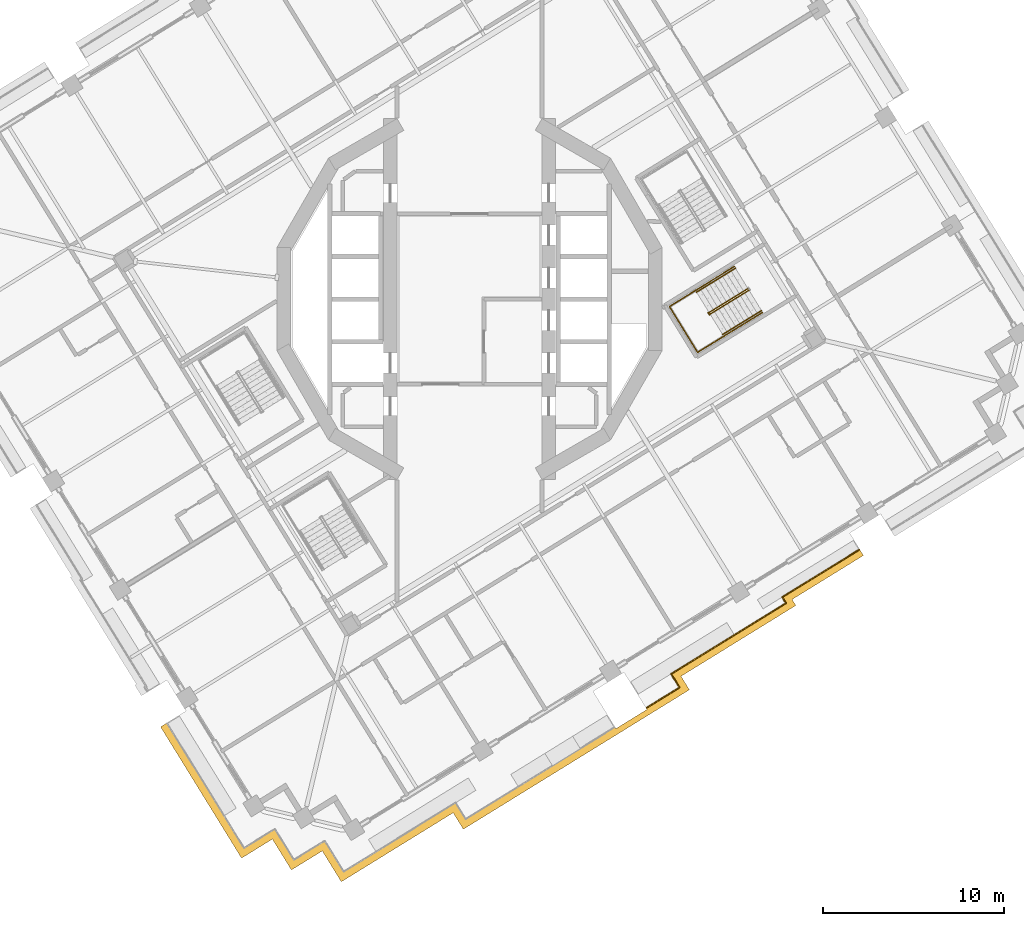
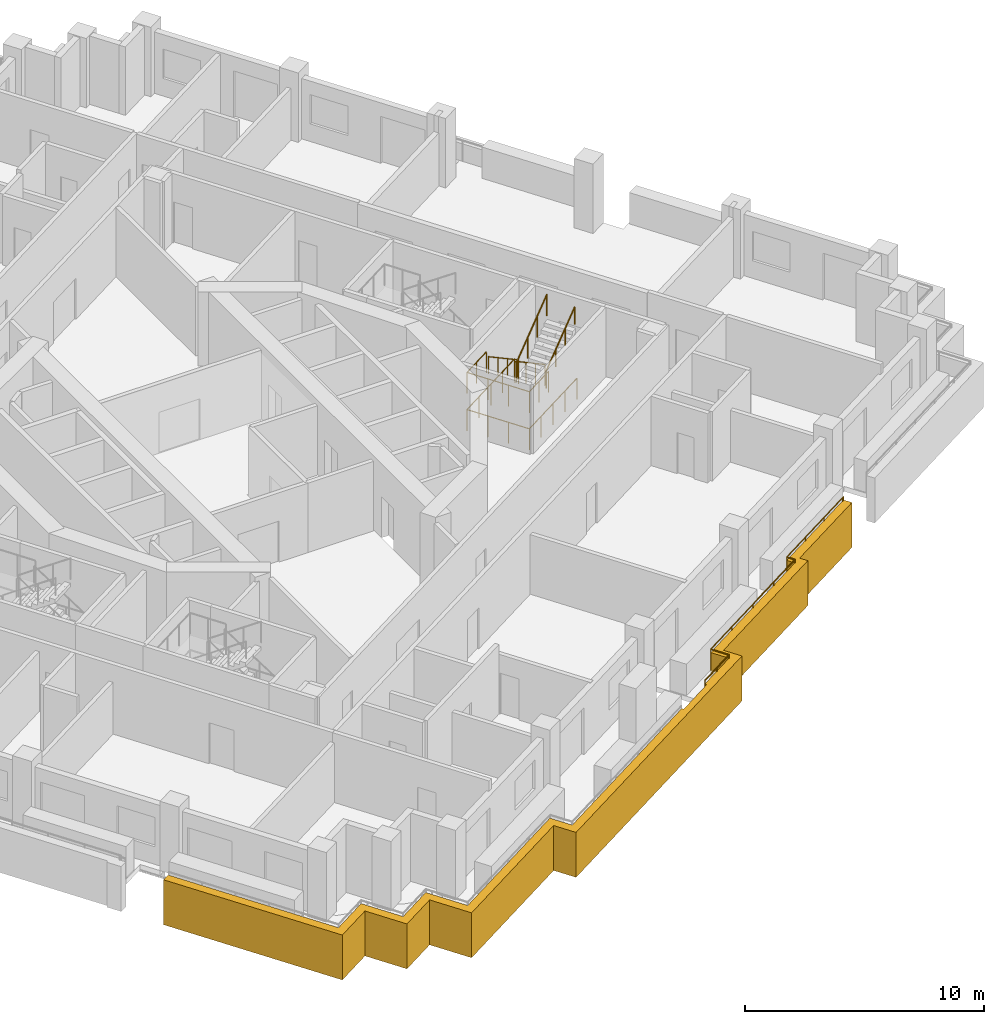
# One storey, part 15 of 20: 8 railings, 1 covering.
"""IFC4 building model written with IfcOpenShell, lengths in metres."""

from ifc_helpers import new_model, si_unit, direction, frame, origin, origin_2d, place, context, subcontext, project, spatial, polyline, circle, outline, extrude, material, type_object, element, save


model = new_model("IFC4")

# Units and contexts
model_context = context("Model", 3, precision=1e-05, world=origin(), true_north=direction((0.0, 1.0)))
body_context = subcontext(model_context, "Body", "Model", "MODEL_VIEW")
ifc_project = project(units=[si_unit("LENGTHUNIT", "METRE"), si_unit("AREAUNIT", "SQUARE_METRE"), si_unit("VOLUMEUNIT", "CUBIC_METRE"), si_unit("PLANEANGLEUNIT", "RADIAN"), si_unit("MASSUNIT", "GRAM", prefix="KILO")], contexts=[model_context])

# Site, building, storey
site_placement = place(None, origin())
site = spatial("IfcSite", under=ifc_project, at=site_placement, CompositionType="ELEMENT")
building_placement = place(site_placement, origin())
building = spatial("IfcBuilding", under=site, at=building_placement, Name="Cantera Rosa Tower", CompositionType="ELEMENT")
storey_placement = place(building_placement, frame((0.0, 0.0, 181.800048828125)))
storey = spatial("IfcBuildingStorey", under=building, at=storey_placement, Name="L40", CompositionType="ELEMENT", Elevation=181.800048828125)

# Railings
ifc_material_1 = material(Name="Stainless steel and laminated glass", Category="steel")
railing_type_1 = type_object("IfcRailingType", Name="GUARD 1100", PredefinedType="BALUSTRADE", material=ifc_material_1)
railing_1_placement = place(storey_placement, frame((17.453369140625, -16.773681640625, 0.0)))
element("IfcRailing", 1, at=railing_1_placement, inside=storey, type_object=railing_type_1, Name="GUARD L40-9", PredefinedType="BALUSTRADE", context=body_context, shape_type="SweptSolid", body=[
    extrude(circle(Radius=0.030029296875, at=origin_2d()), frame((0.0, 0.0, 1.070068359375), z_axis=(-0.851109306272, -0.52498852252, 0.0), x_axis=(0.52498852252, -0.851109306272, 0.0)), (0.0, 0.0, 1.0), 7.442138671875),
    extrude(circle(Radius=0.030029296875, at=origin_2d()), frame((-6.333984375, -3.906982421875, 1.070068359375), z_axis=(0.52496592251, -0.851123246189, 0.0), x_axis=(0.851123246189, 0.52496592251, 0.0)), (0.0, 0.0, 1.0), 0.8779296875),
    extrude(circle(Radius=0.030029296875, at=origin_2d()), frame((-5.873046875, -4.654296875, 1.070068359375), z_axis=(-0.851128332412, -0.524957676166, 0.0), x_axis=(0.524957676166, -0.851128332412, 0.0)), (0.0, 0.0, 1.0), 2.136962890625),
    extrude(circle(Radius=0.02490234375, at=origin_2d()), origin(), (0.0, 0.0, 1.0), 1.0400390625),
    extrude(circle(Radius=0.02490234375, at=origin_2d()), frame((-1.58349609375, -0.976806640625, 0.0)), (0.0, 0.0, 1.0), 1.0400390625),
    extrude(circle(Radius=0.02490234375, at=origin_2d()), frame((-3.1669921875, -1.95361328125, 0.0)), (0.0, 0.0, 1.0), 1.0400390625),
    extrude(circle(Radius=0.02490234375, at=origin_2d()), frame((-4.75048828125, -2.93017578125, 0.0)), (0.0, 0.0, 1.0), 1.0400390625),
    extrude(circle(Radius=0.02490234375, at=origin_2d()), frame((-6.333984375, -3.906982421875, 0.0)), (0.0, 0.0, 1.0), 1.0400390625),
    extrude(circle(Radius=0.02490234375, at=origin_2d()), frame((-5.873046875, -4.654296875, 0.0)), (0.0, 0.0, 1.0), 1.0400390625),
    extrude(circle(Radius=0.02490234375, at=origin_2d()), frame((-6.782470703125, -5.21533203125, 0.0)), (0.0, 0.0, 1.0), 1.0400390625),
    extrude(circle(Radius=0.02490234375, at=origin_2d()), frame((-7.69189453125, -5.776123046875, 0.0)), (0.0, 0.0, 1.0), 1.0400390625),
])
railing_2_placement = place(storey_placement, frame((21.505615234375, -13.817138671875, 0.0)))
element("IfcRailing", 2, at=railing_2_placement, inside=storey, type_object=railing_type_1, Name="GUARD L40-10", PredefinedType="BALUSTRADE", context=body_context, shape_type="SweptSolid", body=[
    extrude(circle(Radius=0.030029296875, at=origin_2d()), frame((0.0, 0.0, 1.070068359375), z_axis=(-0.850339408664, -0.52623463405, 0.0), x_axis=(0.52623463405, -0.850339408664, 0.0)), (0.0, 0.0, 1.0), 0.070068359375),
    extrude(circle(Radius=0.030029296875, at=origin_2d()), frame((-0.0595703125, -0.036865234375, 1.070068359375), z_axis=(-0.851115563534, -0.524978378136, 0.0), x_axis=(0.524978378136, -0.851115563534, 0.0)), (0.0, 0.0, 1.0), 4.930908203125),
    extrude(circle(Radius=0.030029296875, at=origin_2d()), frame((-4.25634765625, -2.62548828125, 1.070068359375), z_axis=(0.524797740266, -0.851226956699, 0.0), x_axis=(0.851226956699, 0.524797740266, 0.0)), (0.0, 0.0, 1.0), 0.388916015625),
    extrude(circle(Radius=0.02490234375, at=origin_2d()), origin(), (0.0, 0.0, 1.0), 1.0400390625),
    extrude(circle(Radius=0.02490234375, at=origin_2d()), frame((-0.0595703125, -0.036865234375, 0.0)), (0.0, 0.0, 1.0), 1.0400390625),
    extrude(circle(Radius=0.02490234375, at=origin_2d()), frame((-1.45849609375, -0.899658203125, 0.0)), (0.0, 0.0, 1.0), 1.0400390625),
    extrude(circle(Radius=0.02490234375, at=origin_2d()), frame((-2.857421875, -1.7626953125, 0.0)), (0.0, 0.0, 1.0), 1.0400390625),
    extrude(circle(Radius=0.02490234375, at=origin_2d()), frame((-4.25634765625, -2.62548828125, 0.0)), (0.0, 0.0, 1.0), 1.0400390625),
    extrude(circle(Radius=0.02490234375, at=origin_2d()), frame((-4.05224609375, -2.95654296875, 0.0)), (0.0, 0.0, 1.0), 1.0400390625),
])
ifc_material_2 = material(Name="Steel S355J2 (EN 10025-2)", Category="steel")
railing_type_2 = type_object("IfcRailingType", Name="STAIR GUARD 1100", PredefinedType="GUARDRAIL", material=ifc_material_2)
railing_3_placement = place(storey_placement, frame((15.36572265625, 0.57666015625, 0.18994140625)))
element("IfcRailing", 3, at=railing_3_placement, inside=storey, type_object=railing_type_2, Name="L40 ST-34 stair guard 1", PredefinedType="GUARDRAIL", context=body_context, shape_type="SweptSolid", body=[
    extrude(circle(Radius=0.02392578125, at=origin_2d()), frame((0.0, 0.0, 1.076171875), z_axis=(-0.704271375033, -0.434427613125, 0.561493080334), x_axis=(0.524999832248, -0.851102330005, 0.0)), (0.0, 0.0, 1.0), 3.04541015625),
    extrude(circle(Radius=0.02392578125, at=origin_2d()), frame((-2.144775390625, -1.322998046875, 2.7861328125), z_axis=(-0.997279572494, -0.073711968402, 0.0), x_axis=(0.073711968402, -0.997279572494, 0.0)), (0.0, 0.0, 1.0), 0.056396484375),
    extrude(circle(Radius=0.02392578125, at=origin_2d()), frame((-2.200927734375, -1.3271484375, 2.7861328125), z_axis=(0.525458245725, -0.850819388589, 0.0), x_axis=(0.850819388589, 0.525458245725, 0.0)), (0.0, 0.0, 1.0), 0.150146484375),
    extrude(circle(Radius=0.02099609375, at=origin_2d()), origin(), (0.0, 0.0, 1.0), 1.052001953125),
    extrude(circle(Radius=0.02099609375, at=origin_2d()), frame((-0.71484375, -0.44091796875, 0.570068359375)), (0.0, 0.0, 1.0), 1.052001953125),
    extrude(circle(Radius=0.02099609375, at=origin_2d()), frame((-1.429931640625, -0.882080078125, 1.139892578125)), (0.0, 0.0, 1.0), 1.052001953125),
    extrude(circle(Radius=0.02099609375, at=origin_2d()), frame((-2.144775390625, -1.322998046875, 1.7099609375)), (0.0, 0.0, 1.0), 1.052001953125),
    extrude(circle(Radius=0.02099609375, at=origin_2d()), frame((-2.200927734375, -1.3271484375, 1.7099609375)), (0.0, 0.0, 1.0), 1.052001953125),
    extrude(circle(Radius=0.02099609375, at=origin_2d()), frame((-2.1220703125, -1.454833984375, 1.7099609375)), (0.0, 0.0, 1.0), 1.052001953125),
])
railing_4_placement = place(storey_placement, frame((13.2724609375, -0.82958984375, 2.08984375)))
element("IfcRailing", 4, at=railing_4_placement, inside=storey, type_object=railing_type_2, Name="L40 ST-34 stair guard 2", PredefinedType="GUARDRAIL", context=body_context, shape_type="SweptSolid", body=[
    extrude(circle(Radius=0.02392578125, at=origin_2d()), frame((0.0, 0.0, 1.076171875), z_axis=(0.704264196543, 0.434343018426, 0.561567523823), x_axis=(-0.524929648476, 0.851145618652, 0.0)), (0.0, 0.0, 1.0), 3.04541015625),
    extrude(circle(Radius=0.02099609375, at=origin_2d()), origin(), (0.0, 0.0, 1.0), 1.052001953125),
    extrude(circle(Radius=0.02099609375, at=origin_2d()), frame((0.71484375, 0.44091796875, 0.570068359375)), (0.0, 0.0, 1.0), 1.052001953125),
    extrude(circle(Radius=0.02099609375, at=origin_2d()), frame((1.429931640625, 0.8818359375, 1.14013671875)), (0.0, 0.0, 1.0), 1.052001953125),
    extrude(circle(Radius=0.02099609375, at=origin_2d()), frame((2.144775390625, 1.32275390625, 1.710205078125)), (0.0, 0.0, 1.0), 1.052001953125),
])
railing_5_placement = place(storey_placement, frame((14.601806640625, 1.79248046875, 0.0)))
element("IfcRailing", 5, at=railing_5_placement, inside=storey, type_object=railing_type_2, Name="L40 ST-34 stair guard 4", PredefinedType="GUARDRAIL", context=body_context, shape_type="SweptSolid", body=[
    extrude(circle(Radius=0.02392578125, at=origin_2d()), frame((0.0, 0.0, 1.076171875), z_axis=(-0.851116735059, -0.524976478809, 0.0), x_axis=(0.524976478809, -0.851116735059, 0.0)), (0.0, 0.0, 1.0), 4.197998046875),
    extrude(circle(Radius=0.02392578125, at=origin_2d()), frame((-3.572998046875, -2.203857421875, 1.076171875), z_axis=(0.524950242429, -0.851132917336, 0.0), x_axis=(0.851132917336, 0.524950242429, 0.0)), (0.0, 0.0, 1.0), 2.969970703125),
    extrude(circle(Radius=0.02392578125, at=origin_2d()), frame((-2.013916015625, -4.731689453125, 1.076171875), z_axis=(0.851116735059, 0.524976478809, 0.0), x_axis=(-0.524976478809, 0.851116735059, 0.0)), (0.0, 0.0, 1.0), 4.197998046875),
    extrude(circle(Radius=0.02099609375, at=origin_2d()), origin(), (0.0, 0.0, 1.0), 1.052001953125),
    extrude(circle(Radius=0.02099609375, at=origin_2d()), frame((-0.893310546875, -0.551025390625, 0.0)), (0.0, 0.0, 1.0), 1.052001953125),
    extrude(circle(Radius=0.02099609375, at=origin_2d()), frame((-1.78662109375, -1.10205078125, 0.0)), (0.0, 0.0, 1.0), 1.052001953125),
    extrude(circle(Radius=0.02099609375, at=origin_2d()), frame((-2.6796875, -1.65283203125, 0.0)), (0.0, 0.0, 1.0), 1.052001953125),
    extrude(circle(Radius=0.02099609375, at=origin_2d()), frame((-3.572998046875, -2.203857421875, 0.0)), (0.0, 0.0, 1.0), 1.052001953125),
    extrude(circle(Radius=0.02099609375, at=origin_2d()), frame((-3.05322265625, -3.04638671875, 0.0)), (0.0, 0.0, 1.0), 1.052001953125),
    extrude(circle(Radius=0.02099609375, at=origin_2d()), frame((-2.53369140625, -3.88916015625, 0.0)), (0.0, 0.0, 1.0), 1.052001953125),
    extrude(circle(Radius=0.02099609375, at=origin_2d()), frame((-2.013916015625, -4.731689453125, 0.0)), (0.0, 0.0, 1.0), 1.052001953125),
    extrude(circle(Radius=0.02099609375, at=origin_2d()), frame((-1.12060546875, -4.1806640625, 0.0)), (0.0, 0.0, 1.0), 1.052001953125),
    extrude(circle(Radius=0.02099609375, at=origin_2d()), frame((-0.2275390625, -3.6298828125, 0.0)), (0.0, 0.0, 1.0), 1.052001953125),
    extrude(circle(Radius=0.02099609375, at=origin_2d()), frame((0.665771484375, -3.078857421875, 0.0)), (0.0, 0.0, 1.0), 1.052001953125),
    extrude(circle(Radius=0.02099609375, at=origin_2d()), frame((1.55908203125, -2.52783203125, 0.0)), (0.0, 0.0, 1.0), 1.052001953125),
])
railing_6_placement = place(storey_placement, frame((12.477294921875, 0.482177734375, 1.89990234375)))
element("IfcRailing", 6, at=railing_6_placement, inside=storey, type_object=railing_type_2, Name="L40 ST-34 stair guard 5", PredefinedType="GUARDRAIL", context=body_context, shape_type="SweptSolid", body=[
    extrude(circle(Radius=0.02392578125, at=origin_2d()), frame((0.0, 0.0, 1.076171875), z_axis=(-0.851086474909, -0.525025534833, 0.0), x_axis=(0.525025534833, -0.851086474909, 0.0)), (0.0, 0.0, 1.0), 1.701904296875),
    extrude(circle(Radius=0.02392578125, at=origin_2d()), frame((-1.448486328125, -0.8935546875, 1.076171875), z_axis=(0.524950242429, -0.851132917336, 0.0), x_axis=(0.851132917336, 0.524950242429, 0.0)), (0.0, 0.0, 1.0), 2.969970703125),
    extrude(circle(Radius=0.02392578125, at=origin_2d()), frame((0.110595703125, -3.42138671875, 1.076171875), z_axis=(0.851126009811, 0.524961441845, 0.0), x_axis=(-0.524961441845, 0.851126009811, 0.0)), (0.0, 0.0, 1.0), 1.7021484375),
    extrude(circle(Radius=0.02099609375, at=origin_2d()), origin(), (0.0, 0.0, 1.0), 1.052001953125),
    extrude(circle(Radius=0.02099609375, at=origin_2d()), frame((-0.72412109375, -0.44677734375, 0.0)), (0.0, 0.0, 1.0), 1.052001953125),
    extrude(circle(Radius=0.02099609375, at=origin_2d()), frame((-1.448486328125, -0.8935546875, 0.0)), (0.0, 0.0, 1.0), 1.052001953125),
    extrude(circle(Radius=0.02099609375, at=origin_2d()), frame((-0.9287109375, -1.736083984375, 0.0)), (0.0, 0.0, 1.0), 1.052001953125),
    extrude(circle(Radius=0.02099609375, at=origin_2d()), frame((-0.4091796875, -2.578857421875, 0.0)), (0.0, 0.0, 1.0), 1.052001953125),
    extrude(circle(Radius=0.02099609375, at=origin_2d()), frame((0.110595703125, -3.42138671875, 0.0)), (0.0, 0.0, 1.0), 1.052001953125),
    extrude(circle(Radius=0.02099609375, at=origin_2d()), frame((0.8349609375, -2.974609375, 0.0)), (0.0, 0.0, 1.0), 1.052001953125),
    extrude(circle(Radius=0.02099609375, at=origin_2d()), frame((1.559326171875, -2.52783203125, 0.0)), (0.0, 0.0, 1.0), 1.052001953125),
])
ifc_material_3 = material(Name="Steel S355J2 (EN 10025-2)", Category="steel")
railing_type_3 = type_object("IfcRailingType", Name="STAIR HANDRAIL 900", PredefinedType="HANDRAIL", material=ifc_material_3)
railing_7_placement = place(storey_placement, frame((14.669677734375, 1.705322265625, 0.18994140625)))
element("IfcRailing", 7, at=railing_7_placement, inside=storey, type_object=railing_type_3, Name="L40 ST-34 stair handrail 1", PredefinedType="HANDRAIL", context=body_context, shape_type="SweptSolid", body=[
    extrude(circle(Radius=0.02392578125, at=origin_2d()), frame((0.0, 0.0, 0.8759765625), z_axis=(-0.704271375033, -0.434427613125, 0.561493080334), x_axis=(0.524999832248, -0.851102330005, 0.0)), (0.0, 0.0, 1.0), 3.04541015625),
    extrude(circle(Radius=0.02099609375, at=origin_2d()), origin(), (0.0, 0.0, 1.0), 0.851806640625),
    extrude(circle(Radius=0.02099609375, at=origin_2d()), frame((-0.71484375, -0.44091796875, 0.570068359375)), (0.0, 0.0, 1.0), 0.851806640625),
    extrude(circle(Radius=0.02099609375, at=origin_2d()), frame((-1.429931640625, -0.882080078125, 1.139892578125)), (0.0, 0.0, 1.0), 0.851806640625),
    extrude(circle(Radius=0.02099609375, at=origin_2d()), frame((-2.144775390625, -1.322998046875, 1.7099609375)), (0.0, 0.0, 1.0), 0.851806640625),
])
railing_8_placement = place(storey_placement, frame((13.968505859375, -1.958251953125, 2.08984375)))
element("IfcRailing", 8, at=railing_8_placement, inside=storey, type_object=railing_type_3, Name="L40 ST-34 stair handrail 2", PredefinedType="HANDRAIL", context=body_context, shape_type="SweptSolid", body=[
    extrude(circle(Radius=0.02392578125, at=origin_2d()), frame((0.0, 0.0, 0.8759765625), z_axis=(0.704280076098, 0.434383534302, 0.561516268276), x_axis=(-0.524956545799, 0.851129029597, 0.0)), (0.0, 0.0, 1.0), 3.045654296875),
    extrude(circle(Radius=0.02099609375, at=origin_2d()), origin(), (0.0, 0.0, 1.0), 0.851806640625),
    extrude(circle(Radius=0.02099609375, at=origin_2d()), frame((0.715087890625, 0.44091796875, 0.570068359375)), (0.0, 0.0, 1.0), 0.851806640625),
    extrude(circle(Radius=0.02099609375, at=origin_2d()), frame((1.429931640625, 0.882080078125, 1.14013671875)), (0.0, 0.0, 1.0), 0.851806640625),
    extrude(circle(Radius=0.02099609375, at=origin_2d()), frame((2.14501953125, 1.322998046875, 1.710205078125)), (0.0, 0.0, 1.0), 0.851806640625),
])

# Covering
ifc_material_4 = material(Name="Cantera stone", Category="masonry")
covering_type = type_object("IfcCoveringType", Name="TRAY FASCIA 400", PredefinedType="CLADDING", material=ifc_material_4)
covering_placement = place(storey_placement, frame((0.0, 0.0, -1.400146484375)))
element("IfcCovering", 9, at=covering_placement, inside=storey, type_object=covering_type, Name="TRAY FASCIA L40-04", PredefinedType="CLADDING", context=body_context, shape_type="SweptSolid", body=[
    extrude(outline(polyline([(21.656005859375, -14.1943359375), (17.799560546875, -16.572998046875), (18.00390625, -16.904296875), (11.669921875, -20.81103515625), (12.130859375, -21.558349609375), (-0.341552734375, -29.25146484375), (-0.90185546875, -28.34326171875), (-5.28759765625, -31.04833984375), (-7.074951171875, -32.15087890625), (-8.124755859375, -30.44873046875), (-9.8271484375, -31.49853515625), (-10.876953125, -29.79638671875), (-12.579345703125, -30.84619140625), (-13.681640625, -29.05908203125), (-17.046875, -23.603271484375), (-16.706298828125, -23.393310546875), (-13.34130859375, -28.848876953125), (-12.44873046875, -30.2958984375), (-11.001953125, -29.4033203125), (-10.74658203125, -29.245849609375), (-10.589111328125, -29.501220703125), (-9.696533203125, -30.9482421875), (-8.249755859375, -30.0556640625), (-7.994384765625, -29.898193359375), (-7.8369140625, -30.153564453125), (-6.9443359375, -31.600341796875), (-5.49755859375, -30.7080078125), (-0.771484375, -27.79296875), (-0.211181640625, -28.701171875), (8.025146484375, -23.620849609375), (8.068603515625, -23.69140625), (8.0693359375, -23.692138671875), (8.06982421875, -23.69287109375), (8.070556640625, -23.693603515625), (8.0712890625, -23.6943359375), (8.072265625, -23.69482421875), (8.072998046875, -23.6953125), (8.073974609375, -23.695556640625), (8.074951171875, -23.69580078125), (8.075927734375, -23.696044921875), (8.076904296875, -23.696044921875), (8.077880859375, -23.696044921875), (8.078857421875, -23.696044921875), (8.079833984375, -23.69580078125), (8.080810546875, -23.695556640625), (8.08154296875, -23.695068359375), (8.08251953125, -23.694580078125), (9.78466796875, -22.644775390625), (9.785400390625, -22.64404296875), (9.786376953125, -22.6435546875), (9.786865234375, -22.642822265625), (9.78759765625, -22.64208984375), (9.7880859375, -22.64111328125), (9.78857421875, -22.640380859375), (9.788818359375, -22.639404296875), (9.7890625, -22.638427734375), (9.789306640625, -22.637451171875), (9.78955078125, -22.636474609375), (9.78955078125, -22.635498046875), (9.789306640625, -22.634521484375), (9.7890625, -22.633544921875), (9.788818359375, -22.632568359375), (9.788330078125, -22.6318359375), (9.7880859375, -22.630859375), (9.744384765625, -22.560302734375), (11.580322265625, -21.427978515625), (11.119384765625, -20.6806640625), (17.453369140625, -16.773681640625), (17.249267578125, -16.442626953125), (21.446044921875, -13.85400390625), (21.5224609375, -13.806640625), (21.732666015625, -14.147216796875), (21.656005859375, -14.1943359375)])), origin(), (0.0, 0.0, 1.0), 2.300048828125),
])

save(model, "model.ifc")
